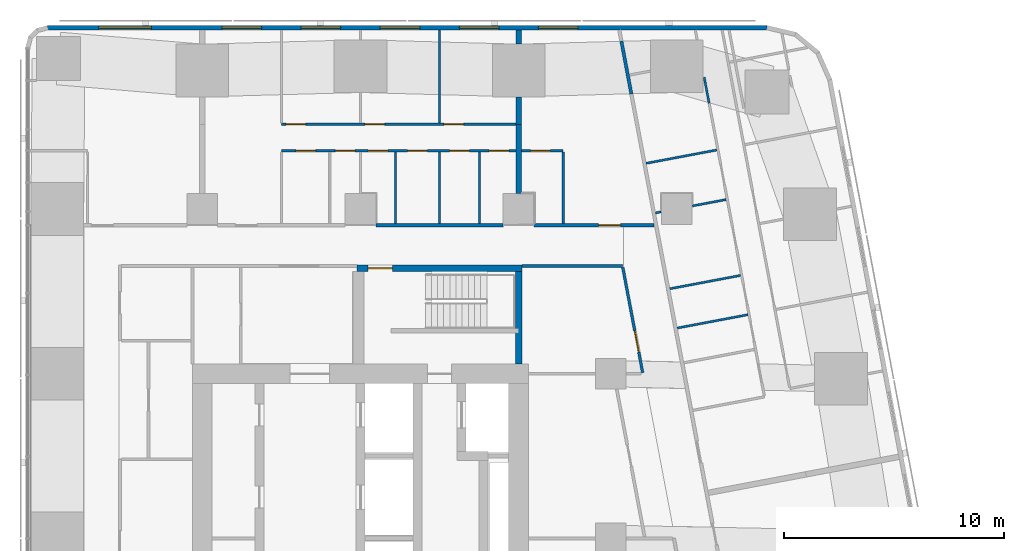
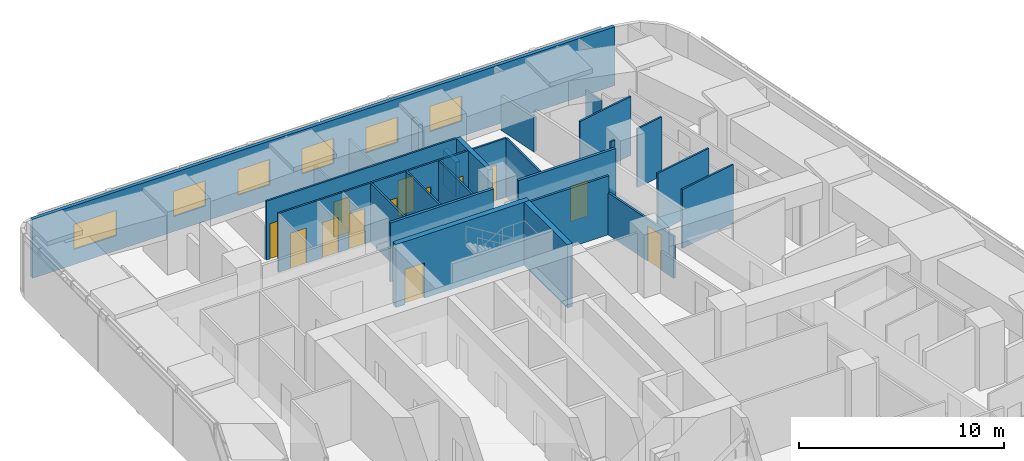
# One storey, part 16 of 19: 25 walls, 13 doors, 6 windows, 19 openings.
"""IFC4 building model written with IfcOpenShell, lengths in metres."""

from ifc_helpers import new_model, si_unit, direction, frame, frame_2d, origin, place, context, subcontext, project, spatial, rectangle, extrude, material, layer, layer_set, type_object, element, fill, save


model = new_model("IFC4")

# Units and contexts
model_context = context("Model", 3, precision=1e-05, world=origin(), true_north=direction((0.0, 1.0)))
body_context = subcontext(model_context, "Body", "Model", "MODEL_VIEW")
ifc_project = project(units=[si_unit("LENGTHUNIT", "METRE"), si_unit("AREAUNIT", "SQUARE_METRE"), si_unit("VOLUMEUNIT", "CUBIC_METRE"), si_unit("PLANEANGLEUNIT", "RADIAN"), si_unit("MASSUNIT", "GRAM", prefix="KILO")], contexts=[model_context])

# Site, building, storey
site_placement = place(None, origin())
site = spatial("IfcSite", under=ifc_project, at=site_placement, CompositionType="ELEMENT")
building_placement = place(site_placement, origin())
building = spatial("IfcBuilding", under=site, at=building_placement, Name="Sheger Commons Tower", CompositionType="ELEMENT")
storey_placement = place(building_placement, frame((0.0, 0.0, 197.449951171875)))
storey = spatial("IfcBuildingStorey", under=building, at=storey_placement, Name="L50", CompositionType="ELEMENT", Elevation=197.449951171875)

# Wall
ifc_material_1 = material(Name="Hollow concrete block masonry, skimmed both sides", Category="masonry")
ifc_layer_1 = layer(ifc_material_1, 0.14990234375)
ifc_layer_set_1 = layer_set([ifc_layer_1], Name="CORRIDOR WALL 150")
wall_type_1 = type_object("IfcWallType", Name="CORRIDOR WALL 150", PredefinedType="SOLIDWALL", material=ifc_layer_set_1)
wall_1_placement = place(storey_placement, frame((22.301025390625, 36.75, 0.0), z_axis=(0.0, 0.0, 1.0), x_axis=(1.0, 0.0, 0.0)))
element("IfcWall", 1, at=wall_1_placement, inside=storey, type_object=wall_type_1, Name="Corridor wall L50", PredefinedType="SOLIDWALL", context=body_context, shape_type="SweptSolid", body=[
    extrude(rectangle(XDim=5.798095703125, YDim=0.14990234375, at=frame_2d((2.89892578125, 0.0))), origin(), (0.0, 0.0, 1.0), 3.5),
])

# Wall, opening, door
wall_2_placement = place(storey_placement, frame((29.5009765625, 36.75, 0.0), z_axis=(0.0, 0.0, 1.0), x_axis=(1.0, 0.0, 0.0)))
wall_2 = element("IfcWall", 2, at=wall_2_placement, inside=storey, type_object=wall_type_1, Name="Corridor wall L50", PredefinedType="SOLIDWALL", context=body_context, shape_type="SweptSolid", body=[
    extrude(rectangle(XDim=5.470947265625, YDim=0.14990234375, at=frame_2d((2.7353515625, 0.0))), origin(), (0.0, 0.0, 1.0), 3.5),
])
opening_1_placement = place(wall_2_placement, frame((2.945068359375, 0.0, 0.0)))
opening_1 = element("IfcOpeningElement", 3, at=opening_1_placement, cuts=wall_2, Name="Opening D1", PredefinedType="OPENING", context=body_context, shape_type="SweptSolid", body=[
    extrude(rectangle(XDim=1.0, YDim=2.10009765625, at=frame_2d((0.5, 1.050048828125))), frame((0.0, 0.0849609375, 0.0), z_axis=(0.0, -1.0, 0.0), x_axis=(1.0, 0.0, 0.0)), (0.0, 0.0, 1.0), 0.169921875),
])
ifc_material_2 = material(Name="Steel door set, fire rated", Category="steel")
door_type_1 = type_object("IfcDoorType", Name="FLAT ENTRANCE DOOR 1000x2100", OperationType="NOTDEFINED", PredefinedType="DOOR", material=ifc_material_2)
door_1_placement = place(opening_1_placement, origin())
door_1 = element("IfcDoor", 4, at=door_1_placement, inside=storey, type_object=door_type_1, Name="Flat entrance door", OperationType="SINGLE_SWING_RIGHT", OverallHeight=2.10009765625, OverallWidth=1.0, PredefinedType="DOOR", context=body_context, shape_type="SweptSolid", body=[
    extrude(rectangle(XDim=1.0, YDim=2.10009765625, at=frame_2d((0.5, 1.050048828125))), frame((0.0, 0.02490234375, 0.0), z_axis=(0.0, -1.0, 0.0), x_axis=(1.0, 0.0, 0.0)), (0.0, 0.0, 1.0), 0.050048828125),
])
fill(opening_1, door_1)

# Walls
wall_3_placement = place(storey_placement, frame((33.47802734375, 45.14208984375, 0.0), z_axis=(0.0, 0.0, 1.0), x_axis=(0.185393362436, -0.982664388876, 0.0)))
element("IfcWall", 5, at=wall_3_placement, inside=storey, type_object=wall_type_1, Name="Corridor wall L50", PredefinedType="SOLIDWALL", context=body_context, shape_type="SweptSolid", body=[
    extrude(rectangle(XDim=2.45458984375, YDim=0.14990234375, at=frame_2d((1.227294921875, 0.0))), origin(), (0.0, 0.0, 1.0), 2.050048828125),
])
ifc_material_3 = material(Name="Dense concrete block masonry, plastered both sides (separating wall between flats)", Category="masonry")
ifc_layer_2 = layer(ifc_material_3, 0.25)
ifc_layer_set_2 = layer_set([ifc_layer_2], Name="DEMISING WALL 250")
wall_type_2 = type_object("IfcWallType", Name="DEMISING WALL 250", PredefinedType="SOLIDWALL", material=ifc_layer_set_2)
wall_4_placement = place(storey_placement, frame((28.800048828125, 41.35009765625, 0.0), z_axis=(0.0, 0.0, 1.0), x_axis=(0.0, 1.0, 0.0)))
element("IfcWall", 6, at=wall_4_placement, inside=storey, type_object=wall_type_2, Name="Demising wall L50", PredefinedType="SOLIDWALL", context=body_context, shape_type="SweptSolid", body=[
    extrude(rectangle(XDim=1.2490234375, YDim=0.25, at=frame_2d((0.62451171875, 0.0))), origin(), (0.0, 0.0, 1.0), 2.050048828125),
])
wall_5_placement = place(storey_placement, frame((28.800048828125, 45.0009765625, 0.0), z_axis=(0.0, 0.0, 1.0), x_axis=(0.0, 1.0, 0.0)))
element("IfcWall", 7, at=wall_5_placement, inside=storey, type_object=wall_type_2, Name="Demising wall L50", PredefinedType="SOLIDWALL", context=body_context, shape_type="SweptSolid", body=[
    extrude(rectangle(XDim=0.64892578125, YDim=0.25, at=frame_2d((0.324462890625, 0.0))), origin(), (0.0, 0.0, 1.0), 2.050048828125),
])
wall_6_placement = place(storey_placement, frame((28.800048828125, 38.200927734375, 0.0), z_axis=(0.0, 0.0, 1.0), x_axis=(0.0, 1.0, 0.0)))
element("IfcWall", 8, at=wall_6_placement, inside=storey, type_object=wall_type_2, Name="Demising wall L50", PredefinedType="SOLIDWALL", context=body_context, shape_type="SweptSolid", body=[
    extrude(rectangle(XDim=3.149169921875, YDim=0.25, at=frame_2d((1.57470703125, 0.0))), origin(), (0.0, 0.0, 1.0), 3.5),
])

# Wall, openings, windows
ifc_material_4 = material(Name="Rendered concrete block masonry, dark grey", Category="masonry")
ifc_layer_3 = layer(ifc_material_4, 0.199951171875)
ifc_layer_set_3 = layer_set([ifc_layer_3], Name="FACADE WALL 200")
wall_type_3 = type_object("IfcWallType", Name="FACADE WALL 200", PredefinedType="SOLIDWALL", material=ifc_layer_set_3)
wall_7_placement = place(storey_placement, frame((40.10595703125, 45.75, 0.0), z_axis=(0.0, 0.0, 1.0), x_axis=(-1.0, 0.0, 0.0)))
wall_7 = element("IfcWall", 9, at=wall_7_placement, inside=storey, type_object=wall_type_3, Name="Facade wall L50", PredefinedType="SOLIDWALL", context=body_context, shape_type="SweptSolid", body=[
    extrude(rectangle(XDim=32.742919921875, YDim=0.199951171875, at=frame_2d((16.37158203125, 0.0))), origin(), (0.0, 0.0, 1.0), 3.5),
])
opening_2_placement = place(wall_7_placement, frame((8.60595703125, 0.0, 0.89990234375)))
opening_2 = element("IfcOpeningElement", 10, at=opening_2_placement, cuts=wall_7, Name="Opening W2", PredefinedType="OPENING", context=body_context, shape_type="SweptSolid", body=[
    extrude(rectangle(XDim=1.800048828125, YDim=1.5, at=frame_2d((0.89990234375, 0.75))), frame((0.0, 0.10986328125, 0.0), z_axis=(0.0, -1.0, 0.0), x_axis=(1.0, 0.0, 0.0)), (0.0, 0.0, 1.0), 0.219970703125),
])
opening_3_placement = place(wall_7_placement, frame((12.2060546875, 0.0, 0.89990234375)))
opening_3 = element("IfcOpeningElement", 11, at=opening_3_placement, cuts=wall_7, Name="Opening W2", PredefinedType="OPENING", context=body_context, shape_type="SweptSolid", body=[
    extrude(rectangle(XDim=1.800048828125, YDim=1.5, at=frame_2d((0.89990234375, 0.75))), frame((0.0, 0.10986328125, 0.0), z_axis=(0.0, -1.0, 0.0), x_axis=(1.0, 0.0, 0.0)), (0.0, 0.0, 1.0), 0.219970703125),
])
opening_4_placement = place(wall_7_placement, frame((15.805908203125, 0.0, 0.89990234375)))
opening_4 = element("IfcOpeningElement", 12, at=opening_4_placement, cuts=wall_7, Name="Opening W2", PredefinedType="OPENING", context=body_context, shape_type="SweptSolid", body=[
    extrude(rectangle(XDim=1.800048828125, YDim=1.5, at=frame_2d((0.89990234375, 0.75))), frame((0.0, 0.10986328125, 0.0), z_axis=(0.0, -1.0, 0.0), x_axis=(1.0, 0.0, 0.0)), (0.0, 0.0, 1.0), 0.219970703125),
])
opening_5_placement = place(wall_7_placement, frame((19.406005859375, 0.0, 0.89990234375)))
opening_5 = element("IfcOpeningElement", 13, at=opening_5_placement, cuts=wall_7, Name="Opening W2", PredefinedType="OPENING", context=body_context, shape_type="SweptSolid", body=[
    extrude(rectangle(XDim=1.800048828125, YDim=1.5, at=frame_2d((0.89990234375, 0.75))), frame((0.0, 0.10986328125, 0.0), z_axis=(0.0, -1.0, 0.0), x_axis=(1.0, 0.0, 0.0)), (0.0, 0.0, 1.0), 0.219970703125),
])
opening_6_placement = place(wall_7_placement, frame((23.006103515625, 0.0, 0.89990234375)))
opening_6 = element("IfcOpeningElement", 14, at=opening_6_placement, cuts=wall_7, Name="Opening W2", PredefinedType="OPENING", context=body_context, shape_type="SweptSolid", body=[
    extrude(rectangle(XDim=1.800048828125, YDim=1.5, at=frame_2d((0.89990234375, 0.75))), frame((0.0, 0.10986328125, 0.0), z_axis=(0.0, -1.0, 0.0), x_axis=(1.0, 0.0, 0.0)), (0.0, 0.0, 1.0), 0.219970703125),
])
opening_7_placement = place(wall_7_placement, frame((28.02490234375, 0.0, 0.89990234375)))
opening_7 = element("IfcOpeningElement", 15, at=opening_7_placement, cuts=wall_7, Name="Opening W1", PredefinedType="OPENING", context=body_context, shape_type="SweptSolid", body=[
    extrude(rectangle(XDim=2.39990234375, YDim=1.5, at=frame_2d((1.199951171875, 0.75))), frame((0.0, 0.10986328125, 0.0), z_axis=(0.0, -1.0, 0.0), x_axis=(1.0, 0.0, 0.0)), (0.0, 0.0, 1.0), 0.219970703125),
])
ifc_material_5 = material(Name="Black aluminium frame, dark tinted double glazing", Category="aluminium")
window_type_1 = type_object("IfcWindowType", Name="WINDOW W1 2400x1500", PartitioningType="SINGLE_PANEL", PredefinedType="WINDOW", material=ifc_material_5)
window_1_placement = place(opening_7_placement, origin())
window_1 = element("IfcWindow", 16, at=window_1_placement, inside=storey, type_object=window_type_1, Name="Window W1 2400X1500", OverallHeight=1.5, OverallWidth=2.39990234375, PartitioningType="SINGLE_PANEL", PredefinedType="WINDOW", context=body_context, shape_type="SweptSolid", body=[
    extrude(rectangle(XDim=2.39990234375, YDim=1.5, at=frame_2d((1.199951171875, 0.75))), frame((0.0, 0.030029296875, 0.0), z_axis=(0.0, -1.0, 0.0), x_axis=(1.0, 0.0, 0.0)), (0.0, 0.0, 1.0), 0.06005859375),
])
fill(opening_7, window_1)
ifc_material_6 = material(Name="Black aluminium frame, dark tinted double glazing", Category="aluminium")
window_type_2 = type_object("IfcWindowType", Name="WINDOW W2 1800x1500", PartitioningType="SINGLE_PANEL", PredefinedType="WINDOW", material=ifc_material_6)
window_2_placement = place(opening_2_placement, origin())
window_2 = element("IfcWindow", 17, at=window_2_placement, inside=storey, type_object=window_type_2, Name="Window W2 1800X1500", OverallHeight=1.5, OverallWidth=1.800048828125, PartitioningType="SINGLE_PANEL", PredefinedType="WINDOW", context=body_context, shape_type="SweptSolid", body=[
    extrude(rectangle(XDim=1.800048828125, YDim=1.5, at=frame_2d((0.89990234375, 0.75))), frame((0.0, 0.030029296875, 0.0), z_axis=(0.0, -1.0, 0.0), x_axis=(1.0, 0.0, 0.0)), (0.0, 0.0, 1.0), 0.06005859375),
])
fill(opening_2, window_2)
window_3_placement = place(opening_3_placement, origin())
window_3 = element("IfcWindow", 18, at=window_3_placement, inside=storey, type_object=window_type_2, Name="Window W2 1800X1500", OverallHeight=1.5, OverallWidth=1.800048828125, PartitioningType="SINGLE_PANEL", PredefinedType="WINDOW", context=body_context, shape_type="SweptSolid", body=[
    extrude(rectangle(XDim=1.800048828125, YDim=1.5, at=frame_2d((0.89990234375, 0.75))), frame((0.0, 0.030029296875, 0.0), z_axis=(0.0, -1.0, 0.0), x_axis=(1.0, 0.0, 0.0)), (0.0, 0.0, 1.0), 0.06005859375),
])
fill(opening_3, window_3)
window_4_placement = place(opening_4_placement, origin())
window_4 = element("IfcWindow", 19, at=window_4_placement, inside=storey, type_object=window_type_2, Name="Window W2 1800X1500", OverallHeight=1.5, OverallWidth=1.800048828125, PartitioningType="SINGLE_PANEL", PredefinedType="WINDOW", context=body_context, shape_type="SweptSolid", body=[
    extrude(rectangle(XDim=1.800048828125, YDim=1.5, at=frame_2d((0.89990234375, 0.75))), frame((0.0, 0.030029296875, 0.0), z_axis=(0.0, -1.0, 0.0), x_axis=(1.0, 0.0, 0.0)), (0.0, 0.0, 1.0), 0.06005859375),
])
fill(opening_4, window_4)
window_5_placement = place(opening_5_placement, origin())
window_5 = element("IfcWindow", 20, at=window_5_placement, inside=storey, type_object=window_type_2, Name="Window W2 1800X1500", OverallHeight=1.5, OverallWidth=1.800048828125, PartitioningType="SINGLE_PANEL", PredefinedType="WINDOW", context=body_context, shape_type="SweptSolid", body=[
    extrude(rectangle(XDim=1.800048828125, YDim=1.5, at=frame_2d((0.89990234375, 0.75))), frame((0.0, 0.030029296875, 0.0), z_axis=(0.0, -1.0, 0.0), x_axis=(1.0, 0.0, 0.0)), (0.0, 0.0, 1.0), 0.06005859375),
])
fill(opening_5, window_5)
window_6_placement = place(opening_6_placement, origin())
window_6 = element("IfcWindow", 21, at=window_6_placement, inside=storey, type_object=window_type_2, Name="Window W2 1800X1500", OverallHeight=1.5, OverallWidth=1.800048828125, PartitioningType="SINGLE_PANEL", PredefinedType="WINDOW", context=body_context, shape_type="SweptSolid", body=[
    extrude(rectangle(XDim=1.800048828125, YDim=1.5, at=frame_2d((0.89990234375, 0.75))), frame((0.0, 0.030029296875, 0.0), z_axis=(0.0, -1.0, 0.0), x_axis=(1.0, 0.0, 0.0)), (0.0, 0.0, 1.0), 0.06005859375),
])
fill(opening_6, window_6)

# Walls
ifc_material_7 = material(Name="Gypsum board on steel studs", Category="steel")
ifc_layer_4 = layer(ifc_material_7, 0.10009765625)
ifc_layer_set_4 = layer_set([ifc_layer_4], Name="PARTITION 100")
wall_type_4 = type_object("IfcWallType", Name="PARTITION 100", PredefinedType="PARTITIONING", material=ifc_layer_set_4)
wall_8_placement = place(storey_placement, frame((37.2490234375, 43.492919921875, 0.0), z_axis=(0.0, 0.0, 1.0), x_axis=(0.185817643817, -0.982584247404, 0.0)))
element("IfcWall", 22, at=wall_8_placement, inside=storey, type_object=wall_type_4, Name="Partition L50", PredefinedType="PARTITIONING", context=body_context, shape_type="SweptSolid", body=[
    extrude(rectangle(XDim=1.204833984375, YDim=0.10009765625, at=frame_2d((0.6025390625, 0.0))), origin(), (0.0, 0.0, 1.0), 2.050048828125),
])
wall_9_placement = place(storey_placement, frame((37.823974609375, 40.181884765625, 0.0), z_axis=(0.0, 0.0, 1.0), x_axis=(-0.982674977865, -0.185337227447, 0.0)))
element("IfcWall", 23, at=wall_9_placement, inside=storey, type_object=wall_type_4, Name="Partition L50", PredefinedType="PARTITIONING", context=body_context, shape_type="SweptSolid", body=[
    extrude(rectangle(XDim=3.274658203125, YDim=0.10009765625, at=frame_2d((1.63720703125, 0.0))), origin(), (0.0, 0.0, 1.0), 3.5),
])
wall_10_placement = place(storey_placement, frame((38.25, 37.925048828125, 0.0), z_axis=(0.0, 0.0, 1.0), x_axis=(-0.982610209589, -0.185680305934, 0.0)))
element("IfcWall", 24, at=wall_10_placement, inside=storey, type_object=wall_type_4, Name="Partition L50", PredefinedType="PARTITIONING", context=body_context, shape_type="SweptSolid", body=[
    extrude(rectangle(XDim=1.5673828125, YDim=0.10009765625, at=frame_2d((0.78369140625, 0.0))), origin(), (0.0, 0.0, 1.0), 3.5),
])
wall_11_placement = place(storey_placement, frame((35.2900390625, 37.365966796875, 0.0), z_axis=(0.0, 0.0, 1.0), x_axis=(-0.982395465615, -0.18681313963, 0.0)))
element("IfcWall", 25, at=wall_11_placement, inside=storey, type_object=wall_type_4, Name="Partition L50", PredefinedType="PARTITIONING", context=body_context, shape_type="SweptSolid", body=[
    extrude(rectangle(XDim=0.2626953125, YDim=0.10009765625, at=frame_2d((0.13134765625, 0.0))), origin(), (0.0, 0.0, 1.0), 3.5),
])
wall_12_placement = place(storey_placement, frame((39.239990234375, 32.68310546875, 0.0), z_axis=(0.0, 0.0, 1.0), x_axis=(-0.982607026909, -0.185697147715, 0.0)))
element("IfcWall", 26, at=wall_12_placement, inside=storey, type_object=wall_type_4, Name="Partition L50", PredefinedType="PARTITIONING", context=body_context, shape_type="SweptSolid", body=[
    extrude(rectangle(XDim=3.27490234375, YDim=0.10009765625, at=frame_2d((1.637451171875, 0.0))), origin(), (0.0, 0.0, 1.0), 3.5),
])
wall_13_placement = place(storey_placement, frame((38.902099609375, 34.470947265625, 0.0), z_axis=(0.0, 0.0, 1.0), x_axis=(-0.982674977865, -0.185337227447, 0.0)))
element("IfcWall", 27, at=wall_13_placement, inside=storey, type_object=wall_type_4, Name="Partition L50", PredefinedType="PARTITIONING", context=body_context, shape_type="SweptSolid", body=[
    extrude(rectangle(XDim=3.274658203125, YDim=0.10009765625, at=frame_2d((1.63720703125, 0.0))), origin(), (0.0, 0.0, 1.0), 3.5),
])

# Wall, openings, doors
wall_14_placement = place(storey_placement, frame((18.0, 41.35009765625, 0.0), z_axis=(0.0, 0.0, 1.0), x_axis=(1.0, 0.0, 0.0)))
wall_14 = element("IfcWall", 28, at=wall_14_placement, inside=storey, type_object=wall_type_4, Name="Partition L50", PredefinedType="PARTITIONING", context=body_context, shape_type="SweptSolid", body=[
    extrude(rectangle(XDim=10.675048828125, YDim=0.10009765625, at=frame_2d((5.33740234375, 0.0))), origin(), (0.0, 0.0, 1.0), 3.5),
])
opening_8_placement = place(wall_14_placement, frame((0.199951171875, 0.0, 0.0)))
opening_8 = element("IfcOpeningElement", 29, at=opening_8_placement, cuts=wall_14, Name="Opening D2", PredefinedType="OPENING", context=body_context, shape_type="SweptSolid", body=[
    extrude(rectangle(XDim=0.89990234375, YDim=2.10009765625, at=frame_2d((0.449951171875, 1.050048828125))), frame((0.0, 0.06005859375, 0.0), z_axis=(0.0, -1.0, 0.0), x_axis=(1.0, 0.0, 0.0)), (0.0, 0.0, 1.0), 0.1201171875),
])
opening_9_placement = place(wall_14_placement, frame((3.800048828125, 0.0, 0.0)))
opening_9 = element("IfcOpeningElement", 30, at=opening_9_placement, cuts=wall_14, Name="Opening D2", PredefinedType="OPENING", context=body_context, shape_type="SweptSolid", body=[
    extrude(rectangle(XDim=0.89990234375, YDim=2.10009765625, at=frame_2d((0.449951171875, 1.050048828125))), frame((0.0, 0.06005859375, 0.0), z_axis=(0.0, -1.0, 0.0), x_axis=(1.0, 0.0, 0.0)), (0.0, 0.0, 1.0), 0.1201171875),
])
opening_10_placement = place(wall_14_placement, frame((7.39990234375, 0.0, 0.0)))
opening_10 = element("IfcOpeningElement", 31, at=opening_10_placement, cuts=wall_14, Name="Opening D2", PredefinedType="OPENING", context=body_context, shape_type="SweptSolid", body=[
    extrude(rectangle(XDim=0.89990234375, YDim=2.10009765625, at=frame_2d((0.449951171875, 1.050048828125))), frame((0.0, 0.06005859375, 0.0), z_axis=(0.0, -1.0, 0.0), x_axis=(1.0, 0.0, 0.0)), (0.0, 0.0, 1.0), 0.1201171875),
])
ifc_material_8 = material(Name="Timber door set", Category="wood")
door_type_2 = type_object("IfcDoorType", Name="INTERNAL DOOR 900x2100", OperationType="NOTDEFINED", PredefinedType="DOOR", material=ifc_material_8)
door_2_placement = place(opening_8_placement, origin())
door_2 = element("IfcDoor", 32, at=door_2_placement, inside=storey, type_object=door_type_2, Name="Main bedroom door", OperationType="SINGLE_SWING_LEFT", OverallHeight=2.10009765625, OverallWidth=0.89990234375, PredefinedType="DOOR", context=body_context, shape_type="SweptSolid", body=[
    extrude(rectangle(XDim=0.89990234375, YDim=2.10009765625, at=frame_2d((0.449951171875, 1.050048828125))), frame((0.0, 0.02490234375, 0.0), z_axis=(0.0, -1.0, 0.0), x_axis=(1.0, 0.0, 0.0)), (0.0, 0.0, 1.0), 0.050048828125),
])
fill(opening_8, door_2)
door_3_placement = place(opening_9_placement, origin())
door_3 = element("IfcDoor", 33, at=door_3_placement, inside=storey, type_object=door_type_2, Name="Bedroom 2 door", OperationType="SINGLE_SWING_LEFT", OverallHeight=2.10009765625, OverallWidth=0.89990234375, PredefinedType="DOOR", context=body_context, shape_type="SweptSolid", body=[
    extrude(rectangle(XDim=0.89990234375, YDim=2.10009765625, at=frame_2d((0.449951171875, 1.050048828125))), frame((0.0, 0.02490234375, 0.0), z_axis=(0.0, -1.0, 0.0), x_axis=(1.0, 0.0, 0.0)), (0.0, 0.0, 1.0), 0.050048828125),
])
fill(opening_9, door_3)
door_4_placement = place(opening_10_placement, origin())
door_4 = element("IfcDoor", 34, at=door_4_placement, inside=storey, type_object=door_type_2, Name="Bedroom 3 door", OperationType="SINGLE_SWING_LEFT", OverallHeight=2.10009765625, OverallWidth=0.89990234375, PredefinedType="DOOR", context=body_context, shape_type="SweptSolid", body=[
    extrude(rectangle(XDim=0.89990234375, YDim=2.10009765625, at=frame_2d((0.449951171875, 1.050048828125))), frame((0.0, 0.02490234375, 0.0), z_axis=(0.0, -1.0, 0.0), x_axis=(1.0, 0.0, 0.0)), (0.0, 0.0, 1.0), 0.050048828125),
])
fill(opening_10, door_4)

wall_15_placement = place(storey_placement, frame((18.0, 40.14990234375, 0.0), z_axis=(0.0, 0.0, 1.0), x_axis=(1.0, 0.0, 0.0)))
wall_15 = element("IfcWall", 35, at=wall_15_placement, inside=storey, type_object=wall_type_4, Name="Partition L50", PredefinedType="PARTITIONING", context=body_context, shape_type="SweptSolid", body=[
    extrude(rectangle(XDim=10.675048828125, YDim=0.10009765625, at=frame_2d((5.33740234375, 0.0))), origin(), (0.0, 0.0, 1.0), 3.5),
])
opening_11_placement = place(wall_15_placement, frame((0.655029296875, 0.0, 0.0)))
opening_11 = element("IfcOpeningElement", 36, at=opening_11_placement, cuts=wall_15, Name="Opening D2", PredefinedType="OPENING", context=body_context, shape_type="SweptSolid", body=[
    extrude(rectangle(XDim=0.89990234375, YDim=2.10009765625, at=frame_2d((0.449951171875, 1.050048828125))), frame((0.0, 0.06005859375, 0.0), z_axis=(0.0, -1.0, 0.0), x_axis=(1.0, 0.0, 0.0)), (0.0, 0.0, 1.0), 0.1201171875),
])
opening_12_placement = place(wall_15_placement, frame((3.949951171875, 0.0, 0.0)))
opening_12 = element("IfcOpeningElement", 37, at=opening_12_placement, cuts=wall_15, Name="Opening D2", PredefinedType="OPENING", context=body_context, shape_type="SweptSolid", body=[
    extrude(rectangle(XDim=0.89990234375, YDim=2.10009765625, at=frame_2d((0.449951171875, 1.050048828125))), frame((0.0, 0.06005859375, 0.0), z_axis=(0.0, -1.0, 0.0), x_axis=(1.0, 0.0, 0.0)), (0.0, 0.0, 1.0), 0.1201171875),
])
opening_13_placement = place(wall_15_placement, frame((7.659912109375, 0.0, 0.0)))
opening_13 = element("IfcOpeningElement", 38, at=opening_13_placement, cuts=wall_15, Name="Opening D2", PredefinedType="OPENING", context=body_context, shape_type="SweptSolid", body=[
    extrude(rectangle(XDim=0.89990234375, YDim=2.10009765625, at=frame_2d((0.449951171875, 1.050048828125))), frame((0.0, 0.06005859375, 0.0), z_axis=(0.0, -1.0, 0.0), x_axis=(1.0, 0.0, 0.0)), (0.0, 0.0, 1.0), 0.1201171875),
])
opening_14_placement = place(wall_15_placement, frame((2.455078125, 0.0, 0.0)))
opening_14 = element("IfcOpeningElement", 39, at=opening_14_placement, cuts=wall_15, Name="Opening D2", PredefinedType="OPENING", context=body_context, shape_type="SweptSolid", body=[
    extrude(rectangle(XDim=0.89990234375, YDim=2.10009765625, at=frame_2d((0.449951171875, 1.050048828125))), frame((0.0, 0.06005859375, 0.0), z_axis=(0.0, -1.0, 0.0), x_axis=(1.0, 0.0, 0.0)), (0.0, 0.0, 1.0), 0.1201171875),
])
opening_15_placement = place(wall_15_placement, frame((5.75, 0.0, 0.0)))
opening_15 = element("IfcOpeningElement", 40, at=opening_15_placement, cuts=wall_15, Name="Opening D2", PredefinedType="OPENING", context=body_context, shape_type="SweptSolid", body=[
    extrude(rectangle(XDim=0.89990234375, YDim=2.10009765625, at=frame_2d((0.449951171875, 1.050048828125))), frame((0.0, 0.06005859375, 0.0), z_axis=(0.0, -1.0, 0.0), x_axis=(1.0, 0.0, 0.0)), (0.0, 0.0, 1.0), 0.1201171875),
])
opening_16_placement = place(wall_15_placement, frame((9.4599609375, 0.0, 0.0)))
opening_16 = element("IfcOpeningElement", 41, at=opening_16_placement, cuts=wall_15, Name="Opening D2", PredefinedType="OPENING", context=body_context, shape_type="SweptSolid", body=[
    extrude(rectangle(XDim=0.89990234375, YDim=2.10009765625, at=frame_2d((0.449951171875, 1.050048828125))), frame((0.0, 0.06005859375, 0.0), z_axis=(0.0, -1.0, 0.0), x_axis=(1.0, 0.0, 0.0)), (0.0, 0.0, 1.0), 0.1201171875),
])
door_5_placement = place(opening_11_placement, origin())
door_5 = element("IfcDoor", 42, at=door_5_placement, inside=storey, type_object=door_type_2, Name="Bathroom door", OperationType="SINGLE_SWING_RIGHT", OverallHeight=2.10009765625, OverallWidth=0.89990234375, PredefinedType="DOOR", context=body_context, shape_type="SweptSolid", body=[
    extrude(rectangle(XDim=0.89990234375, YDim=2.10009765625, at=frame_2d((0.449951171875, 1.050048828125))), frame((0.0, 0.02490234375, 0.0), z_axis=(0.0, -1.0, 0.0), x_axis=(1.0, 0.0, 0.0)), (0.0, 0.0, 1.0), 0.050048828125),
])
fill(opening_11, door_5)
door_6_placement = place(opening_12_placement, origin())
door_6 = element("IfcDoor", 43, at=door_6_placement, inside=storey, type_object=door_type_2, Name="Shower room door", OperationType="SINGLE_SWING_LEFT", OverallHeight=2.10009765625, OverallWidth=0.89990234375, PredefinedType="DOOR", context=body_context, shape_type="SweptSolid", body=[
    extrude(rectangle(XDim=0.89990234375, YDim=2.10009765625, at=frame_2d((0.449951171875, 1.050048828125))), frame((0.0, 0.02490234375, 0.0), z_axis=(0.0, -1.0, 0.0), x_axis=(1.0, 0.0, 0.0)), (0.0, 0.0, 1.0), 0.050048828125),
])
fill(opening_12, door_6)
door_7_placement = place(opening_13_placement, origin())
door_7 = element("IfcDoor", 44, at=door_7_placement, inside=storey, type_object=door_type_2, Name="Laundry room door", OperationType="SINGLE_SWING_LEFT", OverallHeight=2.10009765625, OverallWidth=0.89990234375, PredefinedType="DOOR", context=body_context, shape_type="SweptSolid", body=[
    extrude(rectangle(XDim=0.89990234375, YDim=2.10009765625, at=frame_2d((0.449951171875, 1.050048828125))), frame((0.0, 0.02490234375, 0.0), z_axis=(0.0, -1.0, 0.0), x_axis=(1.0, 0.0, 0.0)), (0.0, 0.0, 1.0), 0.050048828125),
])
fill(opening_13, door_7)
door_8_placement = place(opening_14_placement, origin())
door_8 = element("IfcDoor", 45, at=door_8_placement, inside=storey, type_object=door_type_2, Name="Store door", OperationType="SINGLE_SWING_RIGHT", OverallHeight=2.10009765625, OverallWidth=0.89990234375, PredefinedType="DOOR", context=body_context, shape_type="SweptSolid", body=[
    extrude(rectangle(XDim=0.89990234375, YDim=2.10009765625, at=frame_2d((0.449951171875, 1.050048828125))), frame((0.0, 0.02490234375, 0.0), z_axis=(0.0, -1.0, 0.0), x_axis=(1.0, 0.0, 0.0)), (0.0, 0.0, 1.0), 0.050048828125),
])
fill(opening_14, door_8)
door_9_placement = place(opening_15_placement, origin())
door_9 = element("IfcDoor", 46, at=door_9_placement, inside=storey, type_object=door_type_2, Name="Store door", OperationType="SINGLE_SWING_RIGHT", OverallHeight=2.10009765625, OverallWidth=0.89990234375, PredefinedType="DOOR", context=body_context, shape_type="SweptSolid", body=[
    extrude(rectangle(XDim=0.89990234375, YDim=2.10009765625, at=frame_2d((0.449951171875, 1.050048828125))), frame((0.0, 0.02490234375, 0.0), z_axis=(0.0, -1.0, 0.0), x_axis=(1.0, 0.0, 0.0)), (0.0, 0.0, 1.0), 0.050048828125),
])
fill(opening_15, door_9)
door_10_placement = place(opening_16_placement, origin())
door_10 = element("IfcDoor", 47, at=door_10_placement, inside=storey, type_object=door_type_2, Name="Store door", OperationType="SINGLE_SWING_LEFT", OverallHeight=2.10009765625, OverallWidth=0.89990234375, PredefinedType="DOOR", context=body_context, shape_type="SweptSolid", body=[
    extrude(rectangle(XDim=0.89990234375, YDim=2.10009765625, at=frame_2d((0.449951171875, 1.050048828125))), frame((0.0, 0.02490234375, 0.0), z_axis=(0.0, -1.0, 0.0), x_axis=(1.0, 0.0, 0.0)), (0.0, 0.0, 1.0), 0.050048828125),
])
fill(opening_16, door_10)

# Walls
wall_16_placement = place(storey_placement, frame((25.199951171875, 41.39990234375, 0.0), z_axis=(0.0, 0.0, 1.0), x_axis=(0.0, 1.0, 0.0)))
element("IfcWall", 48, at=wall_16_placement, inside=storey, type_object=wall_type_4, Name="Partition L50", PredefinedType="PARTITIONING", context=body_context, shape_type="SweptSolid", body=[
    extrude(rectangle(XDim=4.25, YDim=0.10009765625, at=frame_2d((2.125, 0.0))), origin(), (0.0, 0.0, 1.0), 2.050048828125),
])
for number, where, z_axis, x_axis, name in (
    (49, (25.199951171875, 36.824951171875, 0.0), (0.0, 0.0, 1.0), (0.0, 1.0, 0.0), "Partition L50"),
    (50, (23.199951171875, 36.824951171875, 0.0), (0.0, 0.0, 1.0), (0.0, 1.0, 0.0), "Partition L50"),
    (51, (27.02001953125, 36.824951171875, 0.0), (0.0, 0.0, 1.0), (0.0, 1.0, 0.0), "Partition L50"),
):
    element("IfcWall", number, at=place(storey_placement, frame(where, z_axis=z_axis, x_axis=x_axis)), inside=storey, type_object=wall_type_4, Name=name, PredefinedType="PARTITIONING", context=body_context, shape_type="SweptSolid", body=[
        extrude(rectangle(XDim=3.275146484375, YDim=0.10009765625, at=frame_2d((1.6376953125, 0.0))), origin(), (0.0, 0.0, 1.0), 3.5),
    ])

# Wall, opening, door
wall_17_placement = place(storey_placement, frame((28.925048828125, 40.14990234375, 0.0), z_axis=(0.0, 0.0, 1.0), x_axis=(1.0, 0.0, 0.0)))
wall_17 = element("IfcWall", 52, at=wall_17_placement, inside=storey, type_object=wall_type_4, Name="Partition L50", PredefinedType="PARTITIONING", context=body_context, shape_type="SweptSolid", body=[
    extrude(rectangle(XDim=1.904052734375, YDim=0.10009765625, at=frame_2d((0.9521484375, 0.0))), origin(), (0.0, 0.0, 1.0), 3.5),
])
opening_17_placement = place(wall_17_placement, frame((0.425048828125, 0.0, 0.0)))
opening_17 = element("IfcOpeningElement", 53, at=opening_17_placement, cuts=wall_17, Name="Opening D2", PredefinedType="OPENING", context=body_context, shape_type="SweptSolid", body=[
    extrude(rectangle(XDim=0.89990234375, YDim=2.10009765625, at=frame_2d((0.449951171875, 1.050048828125))), frame((0.0, 0.06005859375, 0.0), z_axis=(0.0, -1.0, 0.0), x_axis=(1.0, 0.0, 0.0)), (0.0, 0.0, 1.0), 0.1201171875),
])
door_11_placement = place(opening_17_placement, origin())
door_11 = element("IfcDoor", 54, at=door_11_placement, inside=storey, type_object=door_type_2, Name="Shower room door", OperationType="SINGLE_SWING_RIGHT", OverallHeight=2.10009765625, OverallWidth=0.89990234375, PredefinedType="DOOR", context=body_context, shape_type="SweptSolid", body=[
    extrude(rectangle(XDim=0.89990234375, YDim=2.10009765625, at=frame_2d((0.449951171875, 1.050048828125))), frame((0.0, 0.02490234375, 0.0), z_axis=(0.0, -1.0, 0.0), x_axis=(1.0, 0.0, 0.0)), (0.0, 0.0, 1.0), 0.050048828125),
])
fill(opening_17, door_11)

# Walls
wall_18_placement = place(storey_placement, frame((30.8291015625, 36.824951171875, 0.0), z_axis=(0.0, 0.0, 1.0), x_axis=(0.0, 1.0, 0.0)))
element("IfcWall", 55, at=wall_18_placement, inside=storey, type_object=wall_type_4, Name="Partition L50", PredefinedType="PARTITIONING", context=body_context, shape_type="SweptSolid", body=[
    extrude(rectangle(XDim=3.275146484375, YDim=0.10009765625, at=frame_2d((1.6376953125, 0.0))), origin(), (0.0, 0.0, 1.0), 3.5),
])
ifc_material_9 = material(Name="Gypsum board on steel studs, two layers each side, fire rated", Category="steel")
ifc_layer_5 = layer(ifc_material_9, 0.125)
ifc_layer_set_5 = layer_set([ifc_layer_5], Name="SERVICE WALL 125")
wall_type_5 = type_object("IfcWallType", Name="SERVICE WALL 125", PredefinedType="PARTITIONING", material=ifc_layer_set_5)
wall_19_placement = place(storey_placement, frame((28.949951171875, 34.89990234375, 0.0), z_axis=(0.0, 0.0, 1.0), x_axis=(1.0, 0.0, 0.0)))
element("IfcWall", 56, at=wall_19_placement, inside=storey, type_object=wall_type_5, Name="Service room wall L50", PredefinedType="PARTITIONING", context=body_context, shape_type="SweptSolid", body=[
    extrude(rectangle(XDim=4.588134765625, YDim=0.125, at=frame_2d((2.2939453125, 0.0))), origin(), (0.0, 0.0, 1.0), 3.5),
])

# Wall, opening, door
wall_20_placement = place(storey_placement, frame((34.447998046875, 30.0400390625, 0.0), z_axis=(0.0, 0.0, 1.0), x_axis=(-0.185749459238, 0.982597139418, 0.0)))
wall_20 = element("IfcWall", 57, at=wall_20_placement, inside=storey, type_object=wall_type_5, Name="Service room wall L50", PredefinedType="PARTITIONING", context=body_context, shape_type="SweptSolid", body=[
    extrude(rectangle(XDim=4.8828125, YDim=0.125, at=frame_2d((2.44140625, 0.0))), origin(), (0.0, 0.0, 1.0), 2.5),
])
opening_18_placement = place(wall_20_placement, frame((0.949951171875, 0.0, 0.0)))
opening_18 = element("IfcOpeningElement", 58, at=opening_18_placement, cuts=wall_20, Name="Opening D4", PredefinedType="OPENING", context=body_context, shape_type="SweptSolid", body=[
    extrude(rectangle(XDim=1.0, YDim=2.10009765625, at=frame_2d((0.5, 1.050048828125))), frame((0.0, 0.072509765625, 0.0), z_axis=(0.0, -1.0, 0.0), x_axis=(1.0, 0.0, 0.0)), (0.0, 0.0, 1.0), 0.14501953125),
])
ifc_material_10 = material(Name="Steel door set, fire rated", Category="steel")
door_type_3 = type_object("IfcDoorType", Name="SERVICE DOOR 1000x2100", OperationType="NOTDEFINED", PredefinedType="DOOR", material=ifc_material_10)
door_12_placement = place(opening_18_placement, origin())
door_12 = element("IfcDoor", 59, at=door_12_placement, inside=storey, type_object=door_type_3, Name="Linen store door", OperationType="SINGLE_SWING_LEFT", OverallHeight=2.10009765625, OverallWidth=1.0, PredefinedType="DOOR", context=body_context, shape_type="SweptSolid", body=[
    extrude(rectangle(XDim=1.0, YDim=2.10009765625, at=frame_2d((0.5, 1.050048828125))), frame((0.0, 0.02490234375, 0.0), z_axis=(0.0, -1.0, 0.0), x_axis=(1.0, 0.0, 0.0)), (0.0, 0.0, 1.0), 0.050048828125),
])
fill(opening_18, door_12)

ifc_material_11 = material(Name="Concrete C50/60", Category="concrete")
ifc_layer_6 = layer(ifc_material_11, 0.300048828125)
ifc_layer_set_6 = layer_set([ifc_layer_6], Name="STAIR CORE WALL 300")
wall_type_6 = type_object("IfcWallType", Name="STAIR CORE WALL 300", PredefinedType="SHEAR", material=ifc_layer_set_6)
wall_21_placement = place(storey_placement, frame((21.449951171875, 34.800048828125, 0.0), z_axis=(0.0, 0.0, 1.0), x_axis=(1.0, 0.0, 0.0)))
wall_21 = element("IfcWall", 60, at=wall_21_placement, inside=storey, type_object=wall_type_6, Name="STW-L50-S2N", PredefinedType="SHEAR", context=body_context, shape_type="SweptSolid", body=[
    extrude(rectangle(XDim=7.5, YDim=0.300048828125, at=frame_2d((3.75, 0.0))), origin(), (0.0, 0.0, 1.0), 3.75),
])
opening_19_placement = place(wall_21_placement, frame((0.5, 0.0, 0.0)))
opening_19 = element("IfcOpeningElement", 61, at=opening_19_placement, cuts=wall_21, Name="Opening D5", PredefinedType="OPENING", context=body_context, shape_type="SweptSolid", body=[
    extrude(rectangle(XDim=1.10009765625, YDim=2.10009765625, at=frame_2d((0.550048828125, 1.050048828125))), frame((0.0, 0.159912109375, 0.0), z_axis=(0.0, -1.0, 0.0), x_axis=(1.0, 0.0, 0.0)), (0.0, 0.0, 1.0), 0.320068359375),
])
ifc_material_12 = material(Name="Steel door set, fire rated", Category="steel")
door_type_4 = type_object("IfcDoorType", Name="STAIR DOOR 1100x2100", OperationType="NOTDEFINED", PredefinedType="DOOR", material=ifc_material_12)
door_13_placement = place(opening_19_placement, origin())
door_13 = element("IfcDoor", 62, at=door_13_placement, inside=storey, type_object=door_type_4, Name="Stair S2 door", OperationType="SINGLE_SWING_RIGHT", OverallHeight=2.10009765625, OverallWidth=1.10009765625, PredefinedType="DOOR", context=body_context, shape_type="SweptSolid", body=[
    extrude(rectangle(XDim=1.10009765625, YDim=2.10009765625, at=frame_2d((0.550048828125, 1.050048828125))), frame((0.0, 0.02490234375, 0.0), z_axis=(0.0, -1.0, 0.0), x_axis=(1.0, 0.0, 0.0)), (0.0, 0.0, 1.0), 0.050048828125),
])
fill(opening_19, door_13)

# Wall
wall_22_placement = place(storey_placement, frame((28.800048828125, 30.449951171875, 0.0), z_axis=(0.0, 0.0, 1.0), x_axis=(0.0, 1.0, 0.0)))
element("IfcWall", 63, at=wall_22_placement, inside=storey, type_object=wall_type_6, Name="STW-L50-S2E", PredefinedType="SHEAR", context=body_context, shape_type="SweptSolid", body=[
    extrude(rectangle(XDim=4.199951171875, YDim=0.300048828125, at=frame_2d((2.10009765625, 0.0))), origin(), (0.0, 0.0, 1.0), 3.75),
])

save(model, "model.ifc")
